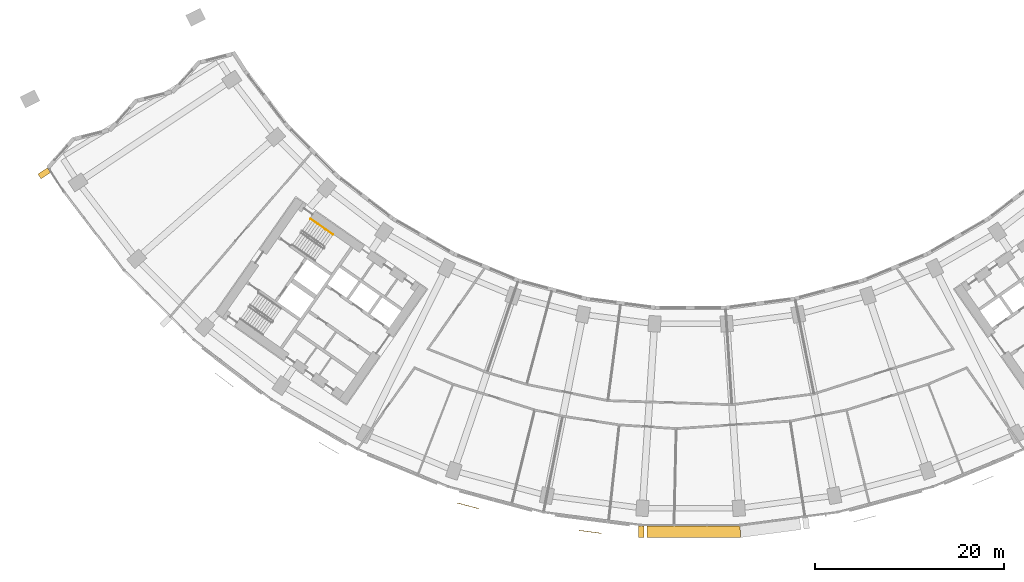
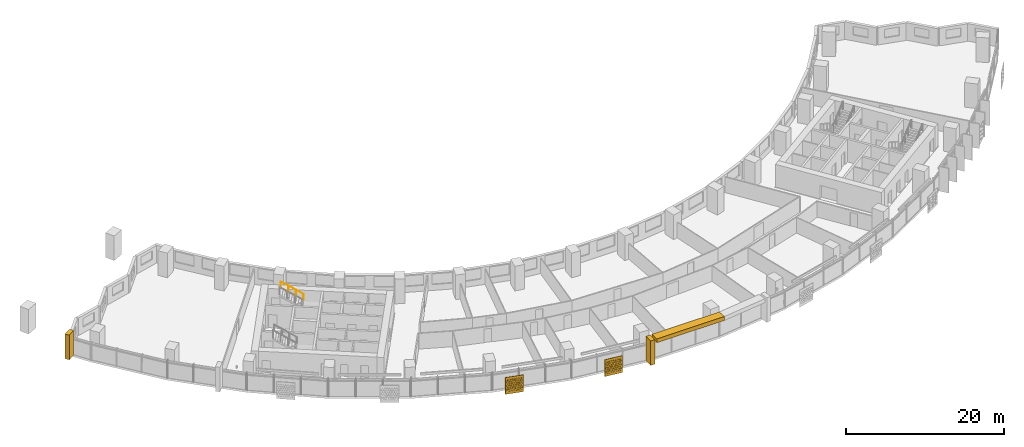
# One storey, part 27 of 31: 5 shading devices, 1 railing.
"""IFC4 building model written with IfcOpenShell, lengths in metres."""

from ifc_helpers import new_model, si_unit, direction, frame, origin, origin_2d, place, context, subcontext, project, spatial, polyline, circle, outline, extrude, material, material_profile, profile_set, type_object, element, save


model = new_model("IFC4")

# Units and contexts
model_context = context("Model", 3, precision=1e-05, world=origin(), true_north=direction((0.0, 1.0)))
body_context = subcontext(model_context, "Body", "Model", "MODEL_VIEW")
ifc_project = project(units=[si_unit("LENGTHUNIT", "METRE"), si_unit("AREAUNIT", "SQUARE_METRE"), si_unit("VOLUMEUNIT", "CUBIC_METRE"), si_unit("PLANEANGLEUNIT", "RADIAN"), si_unit("MASSUNIT", "GRAM", prefix="KILO")], contexts=[model_context])

# Site, building, storey
site_placement = place(None, origin())
site = spatial("IfcSite", under=ifc_project, at=site_placement, CompositionType="ELEMENT")
building_placement = place(site_placement, origin())
building = spatial("IfcBuilding", under=site, at=building_placement, Name="Qamariyya Broadcast Tower", CompositionType="ELEMENT")
storey_placement = place(building_placement, frame((0.0, 0.0, 74.699951171875)))
storey = spatial("IfcBuildingStorey", under=building, at=storey_placement, Name="L15", CompositionType="ELEMENT", Elevation=74.699951171875)

# Shading devices
ifc_material_1 = material(Name="Steel S355 powder coated deep red", Category="steel")
shading_device_type_1 = type_object("IfcShadingDeviceType", Name="Deep red frame, powder coated steel box section", PredefinedType="USERDEFINED", material=ifc_material_1)
shading_device_1_placement = place(storey_placement, origin())
element("IfcShadingDevice", 1, at=shading_device_1_placement, inside=storey, type_object=shading_device_type_1, Name="e-frm-B1-F3-posta-L15", ObjectType="FRAME", PredefinedType="USERDEFINED", context=body_context, shape_type="SweptSolid", body=[
    extrude(outline(polyline([(-5.50927734375, -79.4794921875), (-5.50927734375, -80.679443359375), (-4.909423828125, -80.679443359375), (-4.909423828125, -79.4794921875), (-5.50927734375, -79.4794921875)])), origin(), (0.0, 0.0, 1.0), 3.800048828125),
])
shading_device_2_placement = place(storey_placement, frame((0.0, 0.0, 3.199951171875)))
element("IfcShadingDevice", 2, at=shading_device_2_placement, inside=storey, type_object=shading_device_type_1, Name="e-frm-B1-F3-top0", ObjectType="FRAME", PredefinedType="USERDEFINED", context=body_context, shape_type="SweptSolid", body=[
    extrude(outline(polyline([(-4.609375, -79.4794921875), (-4.609375, -80.679443359375), (5.2880859375, -80.679443359375), (5.20947265625, -79.4794921875), (-4.609375, -79.4794921875)])), origin(), (0.0, 0.0, 1.0), 0.60009765625),
])
shading_device_3_placement = place(storey_placement, origin())
element("IfcShadingDevice", 3, at=shading_device_3_placement, inside=storey, type_object=shading_device_type_1, Name="e-frm-B1-F1-posta-L15", ObjectType="FRAME", PredefinedType="USERDEFINED", context=body_context, shape_type="SweptSolid", body=[
    extrude(outline(polyline([(-67.884521484375, -41.6630859375), (-68.89501953125, -42.310302734375), (-68.5712890625, -42.815673828125), (-67.560791015625, -42.168212890625), (-67.884521484375, -41.6630859375)])), origin(), (0.0, 0.0, 1.0), 3.800048828125),
])
ifc_material_2 = material(Name="Perforated glazed terracotta", Category="masonry")
ifc_material_profile = material_profile(ifc_material_2, outline(polyline([(-1.199951171875, -1.300048828125), (1.199951171875, -1.300048828125), (1.199951171875, 1.300048828125), (-1.199951171875, 1.300048828125), (-1.199951171875, -1.300048828125)]), holes=[polyline([(-0.81494140625, -0.86669921875), (-0.89990234375, -0.78173828125), (-0.985107421875, -0.86669921875), (-0.89990234375, -0.95166015625), (-0.81494140625, -0.86669921875)]), polyline([(-0.514892578125, -0.86669921875), (-0.60009765625, -0.78173828125), (-0.68505859375, -0.86669921875), (-0.60009765625, -0.95166015625), (-0.514892578125, -0.86669921875)]), polyline([(-0.215087890625, -0.86669921875), (-0.300048828125, -0.78173828125), (-0.385009765625, -0.86669921875), (-0.300048828125, -0.95166015625), (-0.215087890625, -0.86669921875)]), polyline([(0.0849609375, -0.86669921875), (0.0, -0.78173828125), (-0.0849609375, -0.86669921875), (0.0, -0.95166015625), (0.0849609375, -0.86669921875)]), polyline([(0.385009765625, -0.86669921875), (0.300048828125, -0.78173828125), (0.215087890625, -0.86669921875), (0.300048828125, -0.95166015625), (0.385009765625, -0.86669921875)]), polyline([(0.68505859375, -0.86669921875), (0.60009765625, -0.78173828125), (0.514892578125, -0.86669921875), (0.60009765625, -0.95166015625), (0.68505859375, -0.86669921875)]), polyline([(0.985107421875, -0.86669921875), (0.89990234375, -0.78173828125), (0.81494140625, -0.86669921875), (0.89990234375, -0.95166015625), (0.985107421875, -0.86669921875)]), polyline([(-0.965087890625, -0.577880859375), (-1.050048828125, -0.49267578125), (-1.135009765625, -0.577880859375), (-1.050048828125, -0.662841796875), (-0.965087890625, -0.577880859375)]), polyline([(-0.6650390625, -0.577880859375), (-0.75, -0.49267578125), (-0.8349609375, -0.577880859375), (-0.75, -0.662841796875), (-0.6650390625, -0.577880859375)]), polyline([(-0.364990234375, -0.577880859375), (-0.449951171875, -0.49267578125), (-0.534912109375, -0.577880859375), (-0.449951171875, -0.662841796875), (-0.364990234375, -0.577880859375)]), polyline([(-0.06494140625, -0.577880859375), (-0.14990234375, -0.49267578125), (-0.235107421875, -0.577880859375), (-0.14990234375, -0.662841796875), (-0.06494140625, -0.577880859375)]), polyline([(0.235107421875, -0.577880859375), (0.14990234375, -0.49267578125), (0.06494140625, -0.577880859375), (0.14990234375, -0.662841796875), (0.235107421875, -0.577880859375)]), polyline([(0.534912109375, -0.577880859375), (0.449951171875, -0.49267578125), (0.364990234375, -0.577880859375), (0.449951171875, -0.662841796875), (0.534912109375, -0.577880859375)]), polyline([(0.8349609375, -0.577880859375), (0.75, -0.49267578125), (0.6650390625, -0.577880859375), (0.75, -0.662841796875), (0.8349609375, -0.577880859375)]), polyline([(1.135009765625, -0.577880859375), (1.050048828125, -0.49267578125), (0.965087890625, -0.577880859375), (1.050048828125, -0.662841796875), (1.135009765625, -0.577880859375)]), polyline([(-0.81494140625, -0.288818359375), (-0.89990234375, -0.203857421875), (-0.985107421875, -0.288818359375), (-0.89990234375, -0.373779296875), (-0.81494140625, -0.288818359375)]), polyline([(-0.514892578125, -0.288818359375), (-0.60009765625, -0.203857421875), (-0.68505859375, -0.288818359375), (-0.60009765625, -0.373779296875), (-0.514892578125, -0.288818359375)]), polyline([(-0.215087890625, -0.288818359375), (-0.300048828125, -0.203857421875), (-0.385009765625, -0.288818359375), (-0.300048828125, -0.373779296875), (-0.215087890625, -0.288818359375)]), polyline([(0.0849609375, -0.288818359375), (0.0, -0.203857421875), (-0.0849609375, -0.288818359375), (0.0, -0.373779296875), (0.0849609375, -0.288818359375)]), polyline([(0.385009765625, -0.288818359375), (0.300048828125, -0.203857421875), (0.215087890625, -0.288818359375), (0.300048828125, -0.373779296875), (0.385009765625, -0.288818359375)]), polyline([(0.68505859375, -0.288818359375), (0.60009765625, -0.203857421875), (0.514892578125, -0.288818359375), (0.60009765625, -0.373779296875), (0.68505859375, -0.288818359375)]), polyline([(0.985107421875, -0.288818359375), (0.89990234375, -0.203857421875), (0.81494140625, -0.288818359375), (0.89990234375, -0.373779296875), (0.985107421875, -0.288818359375)]), polyline([(-0.965087890625, 0.0), (-1.050048828125, 0.0849609375), (-1.135009765625, 0.0), (-1.050048828125, -0.0849609375), (-0.965087890625, 0.0)]), polyline([(-0.6650390625, 0.0), (-0.75, 0.0849609375), (-0.8349609375, 0.0), (-0.75, -0.0849609375), (-0.6650390625, 0.0)]), polyline([(-0.364990234375, 0.0), (-0.449951171875, 0.0849609375), (-0.534912109375, 0.0), (-0.449951171875, -0.0849609375), (-0.364990234375, 0.0)]), polyline([(-0.06494140625, 0.0), (-0.14990234375, 0.0849609375), (-0.235107421875, 0.0), (-0.14990234375, -0.0849609375), (-0.06494140625, 0.0)]), polyline([(0.235107421875, 0.0), (0.14990234375, 0.0849609375), (0.06494140625, 0.0), (0.14990234375, -0.0849609375), (0.235107421875, 0.0)]), polyline([(0.534912109375, 0.0), (0.449951171875, 0.0849609375), (0.364990234375, 0.0), (0.449951171875, -0.0849609375), (0.534912109375, 0.0)]), polyline([(0.8349609375, 0.0), (0.75, 0.0849609375), (0.6650390625, 0.0), (0.75, -0.0849609375), (0.8349609375, 0.0)]), polyline([(1.135009765625, 0.0), (1.050048828125, 0.0849609375), (0.965087890625, 0.0), (1.050048828125, -0.0849609375), (1.135009765625, 0.0)]), polyline([(-0.81494140625, 0.288818359375), (-0.89990234375, 0.373779296875), (-0.985107421875, 0.288818359375), (-0.89990234375, 0.203857421875), (-0.81494140625, 0.288818359375)]), polyline([(-0.514892578125, 0.288818359375), (-0.60009765625, 0.373779296875), (-0.68505859375, 0.288818359375), (-0.60009765625, 0.203857421875), (-0.514892578125, 0.288818359375)]), polyline([(-0.215087890625, 0.288818359375), (-0.300048828125, 0.373779296875), (-0.385009765625, 0.288818359375), (-0.300048828125, 0.203857421875), (-0.215087890625, 0.288818359375)]), polyline([(0.0849609375, 0.288818359375), (0.0, 0.373779296875), (-0.0849609375, 0.288818359375), (0.0, 0.203857421875), (0.0849609375, 0.288818359375)]), polyline([(0.385009765625, 0.288818359375), (0.300048828125, 0.373779296875), (0.215087890625, 0.288818359375), (0.300048828125, 0.203857421875), (0.385009765625, 0.288818359375)]), polyline([(0.68505859375, 0.288818359375), (0.60009765625, 0.373779296875), (0.514892578125, 0.288818359375), (0.60009765625, 0.203857421875), (0.68505859375, 0.288818359375)]), polyline([(0.985107421875, 0.288818359375), (0.89990234375, 0.373779296875), (0.81494140625, 0.288818359375), (0.89990234375, 0.203857421875), (0.985107421875, 0.288818359375)]), polyline([(-0.965087890625, 0.577880859375), (-1.050048828125, 0.662841796875), (-1.135009765625, 0.577880859375), (-1.050048828125, 0.49267578125), (-0.965087890625, 0.577880859375)]), polyline([(-0.6650390625, 0.577880859375), (-0.75, 0.662841796875), (-0.8349609375, 0.577880859375), (-0.75, 0.49267578125), (-0.6650390625, 0.577880859375)]), polyline([(-0.364990234375, 0.577880859375), (-0.449951171875, 0.662841796875), (-0.534912109375, 0.577880859375), (-0.449951171875, 0.49267578125), (-0.364990234375, 0.577880859375)]), polyline([(-0.06494140625, 0.577880859375), (-0.14990234375, 0.662841796875), (-0.235107421875, 0.577880859375), (-0.14990234375, 0.49267578125), (-0.06494140625, 0.577880859375)]), polyline([(0.235107421875, 0.577880859375), (0.14990234375, 0.662841796875), (0.06494140625, 0.577880859375), (0.14990234375, 0.49267578125), (0.235107421875, 0.577880859375)]), polyline([(0.534912109375, 0.577880859375), (0.449951171875, 0.662841796875), (0.364990234375, 0.577880859375), (0.449951171875, 0.49267578125), (0.534912109375, 0.577880859375)]), polyline([(0.8349609375, 0.577880859375), (0.75, 0.662841796875), (0.6650390625, 0.577880859375), (0.75, 0.49267578125), (0.8349609375, 0.577880859375)]), polyline([(1.135009765625, 0.577880859375), (1.050048828125, 0.662841796875), (0.965087890625, 0.577880859375), (1.050048828125, 0.49267578125), (1.135009765625, 0.577880859375)]), polyline([(-0.81494140625, 0.86669921875), (-0.89990234375, 0.95166015625), (-0.985107421875, 0.86669921875), (-0.89990234375, 0.78173828125), (-0.81494140625, 0.86669921875)]), polyline([(-0.514892578125, 0.86669921875), (-0.60009765625, 0.95166015625), (-0.68505859375, 0.86669921875), (-0.60009765625, 0.78173828125), (-0.514892578125, 0.86669921875)]), polyline([(-0.215087890625, 0.86669921875), (-0.300048828125, 0.95166015625), (-0.385009765625, 0.86669921875), (-0.300048828125, 0.78173828125), (-0.215087890625, 0.86669921875)]), polyline([(0.0849609375, 0.86669921875), (0.0, 0.95166015625), (-0.0849609375, 0.86669921875), (0.0, 0.78173828125), (0.0849609375, 0.86669921875)]), polyline([(0.385009765625, 0.86669921875), (0.300048828125, 0.95166015625), (0.215087890625, 0.86669921875), (0.300048828125, 0.78173828125), (0.385009765625, 0.86669921875)]), polyline([(0.68505859375, 0.86669921875), (0.60009765625, 0.95166015625), (0.514892578125, 0.86669921875), (0.60009765625, 0.78173828125), (0.68505859375, 0.86669921875)]), polyline([(0.985107421875, 0.86669921875), (0.89990234375, 0.95166015625), (0.81494140625, 0.86669921875), (0.89990234375, 0.78173828125), (0.985107421875, 0.86669921875)])]))
ifc_profile_set = profile_set([ifc_material_profile], Name="Perforated glazed terracotta")
shading_device_type_2 = type_object("IfcShadingDeviceType", Name="Perforated terracotta screen 2400 x 2600", PredefinedType="USERDEFINED", material=ifc_profile_set)
shading_device_4_placement = place(storey_placement, frame((-23.466064453125, -77.310302734375, 1.35009765625), z_axis=(-0.256901156343, -0.966437683387, 0.0), x_axis=(0.966437683387, -0.256901156343, 0.0)))
element("IfcShadingDevice", 4, at=shading_device_4_placement, inside=storey, type_object=shading_device_type_2, Name="e-scr-L15-06-0", ObjectType="SCREEN", PredefinedType="USERDEFINED", context=body_context, shape_type="SweptSolid", body=[
    extrude(outline(polyline([(-1.199951171875, -1.300048828125), (1.199951171875, -1.300048828125), (1.199951171875, 1.300048828125), (-1.199951171875, 1.300048828125), (-1.199951171875, -1.300048828125)]), holes=[polyline([(-0.81494140625, -0.86669921875), (-0.89990234375, -0.78173828125), (-0.985107421875, -0.86669921875), (-0.89990234375, -0.95166015625), (-0.81494140625, -0.86669921875)]), polyline([(-0.514892578125, -0.86669921875), (-0.60009765625, -0.78173828125), (-0.68505859375, -0.86669921875), (-0.60009765625, -0.95166015625), (-0.514892578125, -0.86669921875)]), polyline([(-0.215087890625, -0.86669921875), (-0.300048828125, -0.78173828125), (-0.385009765625, -0.86669921875), (-0.300048828125, -0.95166015625), (-0.215087890625, -0.86669921875)]), polyline([(0.0849609375, -0.86669921875), (0.0, -0.78173828125), (-0.0849609375, -0.86669921875), (0.0, -0.95166015625), (0.0849609375, -0.86669921875)]), polyline([(0.385009765625, -0.86669921875), (0.300048828125, -0.78173828125), (0.215087890625, -0.86669921875), (0.300048828125, -0.95166015625), (0.385009765625, -0.86669921875)]), polyline([(0.68505859375, -0.86669921875), (0.60009765625, -0.78173828125), (0.514892578125, -0.86669921875), (0.60009765625, -0.95166015625), (0.68505859375, -0.86669921875)]), polyline([(0.985107421875, -0.86669921875), (0.89990234375, -0.78173828125), (0.81494140625, -0.86669921875), (0.89990234375, -0.95166015625), (0.985107421875, -0.86669921875)]), polyline([(-0.965087890625, -0.577880859375), (-1.050048828125, -0.49267578125), (-1.135009765625, -0.577880859375), (-1.050048828125, -0.662841796875), (-0.965087890625, -0.577880859375)]), polyline([(-0.6650390625, -0.577880859375), (-0.75, -0.49267578125), (-0.8349609375, -0.577880859375), (-0.75, -0.662841796875), (-0.6650390625, -0.577880859375)]), polyline([(-0.364990234375, -0.577880859375), (-0.449951171875, -0.49267578125), (-0.534912109375, -0.577880859375), (-0.449951171875, -0.662841796875), (-0.364990234375, -0.577880859375)]), polyline([(-0.06494140625, -0.577880859375), (-0.14990234375, -0.49267578125), (-0.235107421875, -0.577880859375), (-0.14990234375, -0.662841796875), (-0.06494140625, -0.577880859375)]), polyline([(0.235107421875, -0.577880859375), (0.14990234375, -0.49267578125), (0.06494140625, -0.577880859375), (0.14990234375, -0.662841796875), (0.235107421875, -0.577880859375)]), polyline([(0.534912109375, -0.577880859375), (0.449951171875, -0.49267578125), (0.364990234375, -0.577880859375), (0.449951171875, -0.662841796875), (0.534912109375, -0.577880859375)]), polyline([(0.8349609375, -0.577880859375), (0.75, -0.49267578125), (0.6650390625, -0.577880859375), (0.75, -0.662841796875), (0.8349609375, -0.577880859375)]), polyline([(1.135009765625, -0.577880859375), (1.050048828125, -0.49267578125), (0.965087890625, -0.577880859375), (1.050048828125, -0.662841796875), (1.135009765625, -0.577880859375)]), polyline([(-0.81494140625, -0.288818359375), (-0.89990234375, -0.203857421875), (-0.985107421875, -0.288818359375), (-0.89990234375, -0.373779296875), (-0.81494140625, -0.288818359375)]), polyline([(-0.514892578125, -0.288818359375), (-0.60009765625, -0.203857421875), (-0.68505859375, -0.288818359375), (-0.60009765625, -0.373779296875), (-0.514892578125, -0.288818359375)]), polyline([(-0.215087890625, -0.288818359375), (-0.300048828125, -0.203857421875), (-0.385009765625, -0.288818359375), (-0.300048828125, -0.373779296875), (-0.215087890625, -0.288818359375)]), polyline([(0.0849609375, -0.288818359375), (0.0, -0.203857421875), (-0.0849609375, -0.288818359375), (0.0, -0.373779296875), (0.0849609375, -0.288818359375)]), polyline([(0.385009765625, -0.288818359375), (0.300048828125, -0.203857421875), (0.215087890625, -0.288818359375), (0.300048828125, -0.373779296875), (0.385009765625, -0.288818359375)]), polyline([(0.68505859375, -0.288818359375), (0.60009765625, -0.203857421875), (0.514892578125, -0.288818359375), (0.60009765625, -0.373779296875), (0.68505859375, -0.288818359375)]), polyline([(0.985107421875, -0.288818359375), (0.89990234375, -0.203857421875), (0.81494140625, -0.288818359375), (0.89990234375, -0.373779296875), (0.985107421875, -0.288818359375)]), polyline([(-0.965087890625, 0.0), (-1.050048828125, 0.0849609375), (-1.135009765625, 0.0), (-1.050048828125, -0.0849609375), (-0.965087890625, 0.0)]), polyline([(-0.6650390625, 0.0), (-0.75, 0.0849609375), (-0.8349609375, 0.0), (-0.75, -0.0849609375), (-0.6650390625, 0.0)]), polyline([(-0.364990234375, 0.0), (-0.449951171875, 0.0849609375), (-0.534912109375, 0.0), (-0.449951171875, -0.0849609375), (-0.364990234375, 0.0)]), polyline([(-0.06494140625, 0.0), (-0.14990234375, 0.0849609375), (-0.235107421875, 0.0), (-0.14990234375, -0.0849609375), (-0.06494140625, 0.0)]), polyline([(0.235107421875, 0.0), (0.14990234375, 0.0849609375), (0.06494140625, 0.0), (0.14990234375, -0.0849609375), (0.235107421875, 0.0)]), polyline([(0.534912109375, 0.0), (0.449951171875, 0.0849609375), (0.364990234375, 0.0), (0.449951171875, -0.0849609375), (0.534912109375, 0.0)]), polyline([(0.8349609375, 0.0), (0.75, 0.0849609375), (0.6650390625, 0.0), (0.75, -0.0849609375), (0.8349609375, 0.0)]), polyline([(1.135009765625, 0.0), (1.050048828125, 0.0849609375), (0.965087890625, 0.0), (1.050048828125, -0.0849609375), (1.135009765625, 0.0)]), polyline([(-0.81494140625, 0.288818359375), (-0.89990234375, 0.373779296875), (-0.985107421875, 0.288818359375), (-0.89990234375, 0.203857421875), (-0.81494140625, 0.288818359375)]), polyline([(-0.514892578125, 0.288818359375), (-0.60009765625, 0.373779296875), (-0.68505859375, 0.288818359375), (-0.60009765625, 0.203857421875), (-0.514892578125, 0.288818359375)]), polyline([(-0.215087890625, 0.288818359375), (-0.300048828125, 0.373779296875), (-0.385009765625, 0.288818359375), (-0.300048828125, 0.203857421875), (-0.215087890625, 0.288818359375)]), polyline([(0.0849609375, 0.288818359375), (0.0, 0.373779296875), (-0.0849609375, 0.288818359375), (0.0, 0.203857421875), (0.0849609375, 0.288818359375)]), polyline([(0.385009765625, 0.288818359375), (0.300048828125, 0.373779296875), (0.215087890625, 0.288818359375), (0.300048828125, 0.203857421875), (0.385009765625, 0.288818359375)]), polyline([(0.68505859375, 0.288818359375), (0.60009765625, 0.373779296875), (0.514892578125, 0.288818359375), (0.60009765625, 0.203857421875), (0.68505859375, 0.288818359375)]), polyline([(0.985107421875, 0.288818359375), (0.89990234375, 0.373779296875), (0.81494140625, 0.288818359375), (0.89990234375, 0.203857421875), (0.985107421875, 0.288818359375)]), polyline([(-0.965087890625, 0.577880859375), (-1.050048828125, 0.662841796875), (-1.135009765625, 0.577880859375), (-1.050048828125, 0.49267578125), (-0.965087890625, 0.577880859375)]), polyline([(-0.6650390625, 0.577880859375), (-0.75, 0.662841796875), (-0.8349609375, 0.577880859375), (-0.75, 0.49267578125), (-0.6650390625, 0.577880859375)]), polyline([(-0.364990234375, 0.577880859375), (-0.449951171875, 0.662841796875), (-0.534912109375, 0.577880859375), (-0.449951171875, 0.49267578125), (-0.364990234375, 0.577880859375)]), polyline([(-0.06494140625, 0.577880859375), (-0.14990234375, 0.662841796875), (-0.235107421875, 0.577880859375), (-0.14990234375, 0.49267578125), (-0.06494140625, 0.577880859375)]), polyline([(0.235107421875, 0.577880859375), (0.14990234375, 0.662841796875), (0.06494140625, 0.577880859375), (0.14990234375, 0.49267578125), (0.235107421875, 0.577880859375)]), polyline([(0.534912109375, 0.577880859375), (0.449951171875, 0.662841796875), (0.364990234375, 0.577880859375), (0.449951171875, 0.49267578125), (0.534912109375, 0.577880859375)]), polyline([(0.8349609375, 0.577880859375), (0.75, 0.662841796875), (0.6650390625, 0.577880859375), (0.75, 0.49267578125), (0.8349609375, 0.577880859375)]), polyline([(1.135009765625, 0.577880859375), (1.050048828125, 0.662841796875), (0.965087890625, 0.577880859375), (1.050048828125, 0.49267578125), (1.135009765625, 0.577880859375)]), polyline([(-0.81494140625, 0.86669921875), (-0.89990234375, 0.95166015625), (-0.985107421875, 0.86669921875), (-0.89990234375, 0.78173828125), (-0.81494140625, 0.86669921875)]), polyline([(-0.514892578125, 0.86669921875), (-0.60009765625, 0.95166015625), (-0.68505859375, 0.86669921875), (-0.60009765625, 0.78173828125), (-0.514892578125, 0.86669921875)]), polyline([(-0.215087890625, 0.86669921875), (-0.300048828125, 0.95166015625), (-0.385009765625, 0.86669921875), (-0.300048828125, 0.78173828125), (-0.215087890625, 0.86669921875)]), polyline([(0.0849609375, 0.86669921875), (0.0, 0.95166015625), (-0.0849609375, 0.86669921875), (0.0, 0.78173828125), (0.0849609375, 0.86669921875)]), polyline([(0.385009765625, 0.86669921875), (0.300048828125, 0.95166015625), (0.215087890625, 0.86669921875), (0.300048828125, 0.78173828125), (0.385009765625, 0.86669921875)]), polyline([(0.68505859375, 0.86669921875), (0.60009765625, 0.95166015625), (0.514892578125, 0.86669921875), (0.60009765625, 0.78173828125), (0.68505859375, 0.86669921875)]), polyline([(0.985107421875, 0.86669921875), (0.89990234375, 0.95166015625), (0.81494140625, 0.86669921875), (0.89990234375, 0.78173828125), (0.985107421875, 0.86669921875)])]), origin(), (0.0, 0.0, 1.0), 0.059814453125),
])
shading_device_5_placement = place(storey_placement, frame((-10.591796875, -80.0517578125, 1.35009765625), z_axis=(-0.1300340368, -0.991509530601, 0.0), x_axis=(0.991509530601, -0.1300340368, 0.0)))
element("IfcShadingDevice", 5, at=shading_device_5_placement, inside=storey, type_object=shading_device_type_2, Name="e-scr-L15-07-1", ObjectType="SCREEN", PredefinedType="USERDEFINED", context=body_context, shape_type="SweptSolid", body=[
    extrude(outline(polyline([(-1.199951171875, -1.300048828125), (1.199951171875, -1.300048828125), (1.199951171875, 1.300048828125), (-1.199951171875, 1.300048828125), (-1.199951171875, -1.300048828125)]), holes=[polyline([(-0.81494140625, -0.86669921875), (-0.89990234375, -0.78173828125), (-0.985107421875, -0.86669921875), (-0.89990234375, -0.95166015625), (-0.81494140625, -0.86669921875)]), polyline([(-0.514892578125, -0.86669921875), (-0.60009765625, -0.78173828125), (-0.68505859375, -0.86669921875), (-0.60009765625, -0.95166015625), (-0.514892578125, -0.86669921875)]), polyline([(-0.215087890625, -0.86669921875), (-0.300048828125, -0.78173828125), (-0.385009765625, -0.86669921875), (-0.300048828125, -0.95166015625), (-0.215087890625, -0.86669921875)]), polyline([(0.0849609375, -0.86669921875), (0.0, -0.78173828125), (-0.0849609375, -0.86669921875), (0.0, -0.95166015625), (0.0849609375, -0.86669921875)]), polyline([(0.385009765625, -0.86669921875), (0.300048828125, -0.78173828125), (0.215087890625, -0.86669921875), (0.300048828125, -0.95166015625), (0.385009765625, -0.86669921875)]), polyline([(0.68505859375, -0.86669921875), (0.60009765625, -0.78173828125), (0.514892578125, -0.86669921875), (0.60009765625, -0.95166015625), (0.68505859375, -0.86669921875)]), polyline([(0.985107421875, -0.86669921875), (0.89990234375, -0.78173828125), (0.81494140625, -0.86669921875), (0.89990234375, -0.95166015625), (0.985107421875, -0.86669921875)]), polyline([(-0.965087890625, -0.577880859375), (-1.050048828125, -0.49267578125), (-1.135009765625, -0.577880859375), (-1.050048828125, -0.662841796875), (-0.965087890625, -0.577880859375)]), polyline([(-0.6650390625, -0.577880859375), (-0.75, -0.49267578125), (-0.8349609375, -0.577880859375), (-0.75, -0.662841796875), (-0.6650390625, -0.577880859375)]), polyline([(-0.364990234375, -0.577880859375), (-0.449951171875, -0.49267578125), (-0.534912109375, -0.577880859375), (-0.449951171875, -0.662841796875), (-0.364990234375, -0.577880859375)]), polyline([(-0.06494140625, -0.577880859375), (-0.14990234375, -0.49267578125), (-0.235107421875, -0.577880859375), (-0.14990234375, -0.662841796875), (-0.06494140625, -0.577880859375)]), polyline([(0.235107421875, -0.577880859375), (0.14990234375, -0.49267578125), (0.06494140625, -0.577880859375), (0.14990234375, -0.662841796875), (0.235107421875, -0.577880859375)]), polyline([(0.534912109375, -0.577880859375), (0.449951171875, -0.49267578125), (0.364990234375, -0.577880859375), (0.449951171875, -0.662841796875), (0.534912109375, -0.577880859375)]), polyline([(0.8349609375, -0.577880859375), (0.75, -0.49267578125), (0.6650390625, -0.577880859375), (0.75, -0.662841796875), (0.8349609375, -0.577880859375)]), polyline([(1.135009765625, -0.577880859375), (1.050048828125, -0.49267578125), (0.965087890625, -0.577880859375), (1.050048828125, -0.662841796875), (1.135009765625, -0.577880859375)]), polyline([(-0.81494140625, -0.288818359375), (-0.89990234375, -0.203857421875), (-0.985107421875, -0.288818359375), (-0.89990234375, -0.373779296875), (-0.81494140625, -0.288818359375)]), polyline([(-0.514892578125, -0.288818359375), (-0.60009765625, -0.203857421875), (-0.68505859375, -0.288818359375), (-0.60009765625, -0.373779296875), (-0.514892578125, -0.288818359375)]), polyline([(-0.215087890625, -0.288818359375), (-0.300048828125, -0.203857421875), (-0.385009765625, -0.288818359375), (-0.300048828125, -0.373779296875), (-0.215087890625, -0.288818359375)]), polyline([(0.0849609375, -0.288818359375), (0.0, -0.203857421875), (-0.0849609375, -0.288818359375), (0.0, -0.373779296875), (0.0849609375, -0.288818359375)]), polyline([(0.385009765625, -0.288818359375), (0.300048828125, -0.203857421875), (0.215087890625, -0.288818359375), (0.300048828125, -0.373779296875), (0.385009765625, -0.288818359375)]), polyline([(0.68505859375, -0.288818359375), (0.60009765625, -0.203857421875), (0.514892578125, -0.288818359375), (0.60009765625, -0.373779296875), (0.68505859375, -0.288818359375)]), polyline([(0.985107421875, -0.288818359375), (0.89990234375, -0.203857421875), (0.81494140625, -0.288818359375), (0.89990234375, -0.373779296875), (0.985107421875, -0.288818359375)]), polyline([(-0.965087890625, 0.0), (-1.050048828125, 0.0849609375), (-1.135009765625, 0.0), (-1.050048828125, -0.0849609375), (-0.965087890625, 0.0)]), polyline([(-0.6650390625, 0.0), (-0.75, 0.0849609375), (-0.8349609375, 0.0), (-0.75, -0.0849609375), (-0.6650390625, 0.0)]), polyline([(-0.364990234375, 0.0), (-0.449951171875, 0.0849609375), (-0.534912109375, 0.0), (-0.449951171875, -0.0849609375), (-0.364990234375, 0.0)]), polyline([(-0.06494140625, 0.0), (-0.14990234375, 0.0849609375), (-0.235107421875, 0.0), (-0.14990234375, -0.0849609375), (-0.06494140625, 0.0)]), polyline([(0.235107421875, 0.0), (0.14990234375, 0.0849609375), (0.06494140625, 0.0), (0.14990234375, -0.0849609375), (0.235107421875, 0.0)]), polyline([(0.534912109375, 0.0), (0.449951171875, 0.0849609375), (0.364990234375, 0.0), (0.449951171875, -0.0849609375), (0.534912109375, 0.0)]), polyline([(0.8349609375, 0.0), (0.75, 0.0849609375), (0.6650390625, 0.0), (0.75, -0.0849609375), (0.8349609375, 0.0)]), polyline([(1.135009765625, 0.0), (1.050048828125, 0.0849609375), (0.965087890625, 0.0), (1.050048828125, -0.0849609375), (1.135009765625, 0.0)]), polyline([(-0.81494140625, 0.288818359375), (-0.89990234375, 0.373779296875), (-0.985107421875, 0.288818359375), (-0.89990234375, 0.203857421875), (-0.81494140625, 0.288818359375)]), polyline([(-0.514892578125, 0.288818359375), (-0.60009765625, 0.373779296875), (-0.68505859375, 0.288818359375), (-0.60009765625, 0.203857421875), (-0.514892578125, 0.288818359375)]), polyline([(-0.215087890625, 0.288818359375), (-0.300048828125, 0.373779296875), (-0.385009765625, 0.288818359375), (-0.300048828125, 0.203857421875), (-0.215087890625, 0.288818359375)]), polyline([(0.0849609375, 0.288818359375), (0.0, 0.373779296875), (-0.0849609375, 0.288818359375), (0.0, 0.203857421875), (0.0849609375, 0.288818359375)]), polyline([(0.385009765625, 0.288818359375), (0.300048828125, 0.373779296875), (0.215087890625, 0.288818359375), (0.300048828125, 0.203857421875), (0.385009765625, 0.288818359375)]), polyline([(0.68505859375, 0.288818359375), (0.60009765625, 0.373779296875), (0.514892578125, 0.288818359375), (0.60009765625, 0.203857421875), (0.68505859375, 0.288818359375)]), polyline([(0.985107421875, 0.288818359375), (0.89990234375, 0.373779296875), (0.81494140625, 0.288818359375), (0.89990234375, 0.203857421875), (0.985107421875, 0.288818359375)]), polyline([(-0.965087890625, 0.577880859375), (-1.050048828125, 0.662841796875), (-1.135009765625, 0.577880859375), (-1.050048828125, 0.49267578125), (-0.965087890625, 0.577880859375)]), polyline([(-0.6650390625, 0.577880859375), (-0.75, 0.662841796875), (-0.8349609375, 0.577880859375), (-0.75, 0.49267578125), (-0.6650390625, 0.577880859375)]), polyline([(-0.364990234375, 0.577880859375), (-0.449951171875, 0.662841796875), (-0.534912109375, 0.577880859375), (-0.449951171875, 0.49267578125), (-0.364990234375, 0.577880859375)]), polyline([(-0.06494140625, 0.577880859375), (-0.14990234375, 0.662841796875), (-0.235107421875, 0.577880859375), (-0.14990234375, 0.49267578125), (-0.06494140625, 0.577880859375)]), polyline([(0.235107421875, 0.577880859375), (0.14990234375, 0.662841796875), (0.06494140625, 0.577880859375), (0.14990234375, 0.49267578125), (0.235107421875, 0.577880859375)]), polyline([(0.534912109375, 0.577880859375), (0.449951171875, 0.662841796875), (0.364990234375, 0.577880859375), (0.449951171875, 0.49267578125), (0.534912109375, 0.577880859375)]), polyline([(0.8349609375, 0.577880859375), (0.75, 0.662841796875), (0.6650390625, 0.577880859375), (0.75, 0.49267578125), (0.8349609375, 0.577880859375)]), polyline([(1.135009765625, 0.577880859375), (1.050048828125, 0.662841796875), (0.965087890625, 0.577880859375), (1.050048828125, 0.49267578125), (1.135009765625, 0.577880859375)]), polyline([(-0.81494140625, 0.86669921875), (-0.89990234375, 0.95166015625), (-0.985107421875, 0.86669921875), (-0.89990234375, 0.78173828125), (-0.81494140625, 0.86669921875)]), polyline([(-0.514892578125, 0.86669921875), (-0.60009765625, 0.95166015625), (-0.68505859375, 0.86669921875), (-0.60009765625, 0.78173828125), (-0.514892578125, 0.86669921875)]), polyline([(-0.215087890625, 0.86669921875), (-0.300048828125, 0.95166015625), (-0.385009765625, 0.86669921875), (-0.300048828125, 0.78173828125), (-0.215087890625, 0.86669921875)]), polyline([(0.0849609375, 0.86669921875), (0.0, 0.95166015625), (-0.0849609375, 0.86669921875), (0.0, 0.78173828125), (0.0849609375, 0.86669921875)]), polyline([(0.385009765625, 0.86669921875), (0.300048828125, 0.95166015625), (0.215087890625, 0.86669921875), (0.300048828125, 0.78173828125), (0.385009765625, 0.86669921875)]), polyline([(0.68505859375, 0.86669921875), (0.60009765625, 0.95166015625), (0.514892578125, 0.86669921875), (0.60009765625, 0.78173828125), (0.68505859375, 0.86669921875)]), polyline([(0.985107421875, 0.86669921875), (0.89990234375, 0.95166015625), (0.81494140625, 0.86669921875), (0.89990234375, 0.78173828125), (0.985107421875, 0.86669921875)])]), origin(), (0.0, 0.0, 1.0), 0.06005859375),
])

# Railing
ifc_material_3 = material(Name="Stainless steel", Category="steel")
railing_type = type_object("IfcRailingType", Name="Stair handrail", PredefinedType="HANDRAIL", material=ifc_material_3)
railing_placement = place(storey_placement, frame((-37.73876953125, -48.7138671875, 2.07275390625)))
element("IfcRailing", 6, at=railing_placement, inside=storey, type_object=railing_type, Name="L15 ST-W2 stair handrail 2", PredefinedType="HANDRAIL", context=body_context, shape_type="SweptSolid", body=[
    extrude(circle(Radius=0.02392578125, at=origin_2d()), frame((0.0, 0.0, 0.8759765625), z_axis=(-0.703745009021, 0.492838488332, 0.511715923826), x_axis=(-0.573631830683, -0.819113253969, 0.0)), (0.0, 0.0, 1.0), 3.37548828125),
    extrude(circle(Radius=0.02099609375, at=origin_2d()), origin(), (0.0, 0.0, 1.0), 0.851806640625),
    extrude(circle(Radius=0.02099609375, at=origin_2d()), frame((-0.791748046875, 0.554443359375, 0.57568359375)), (0.0, 0.0, 1.0), 0.851806640625),
    extrude(circle(Radius=0.02099609375, at=origin_2d()), frame((-1.583740234375, 1.109130859375, 1.151611328125)), (0.0, 0.0, 1.0), 0.851806640625),
    extrude(circle(Radius=0.02099609375, at=origin_2d()), frame((-2.37548828125, 1.66357421875, 1.727294921875)), (0.0, 0.0, 1.0), 0.851806640625),
])

save(model, "model.ifc")
